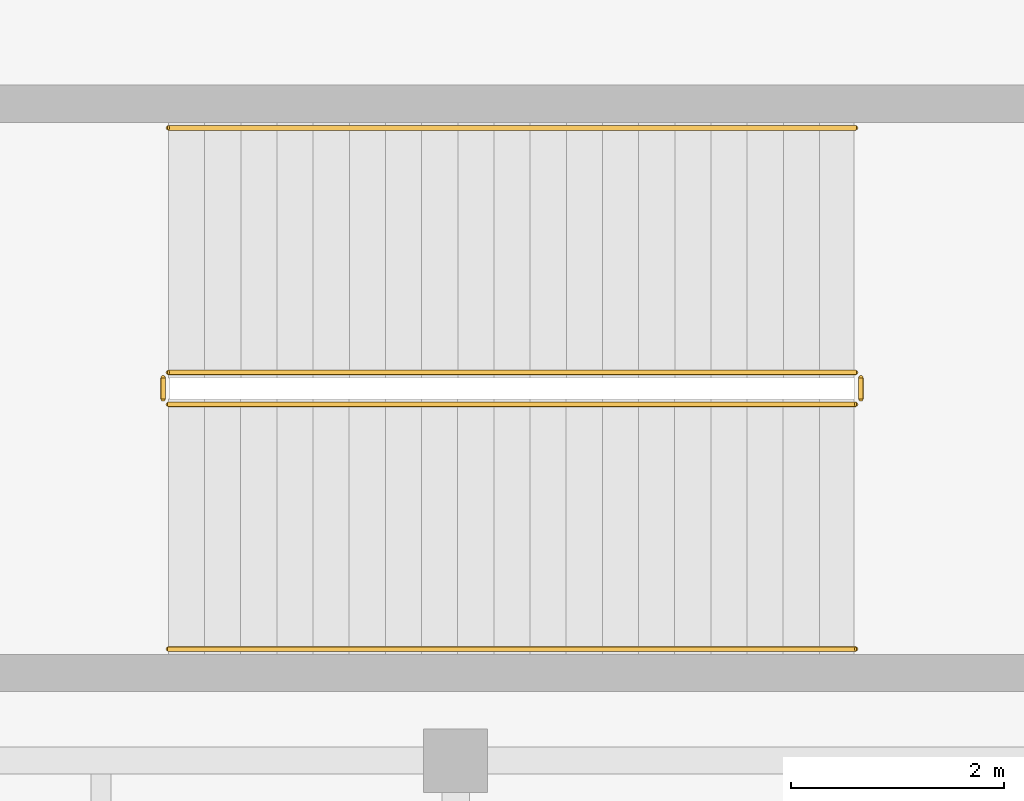
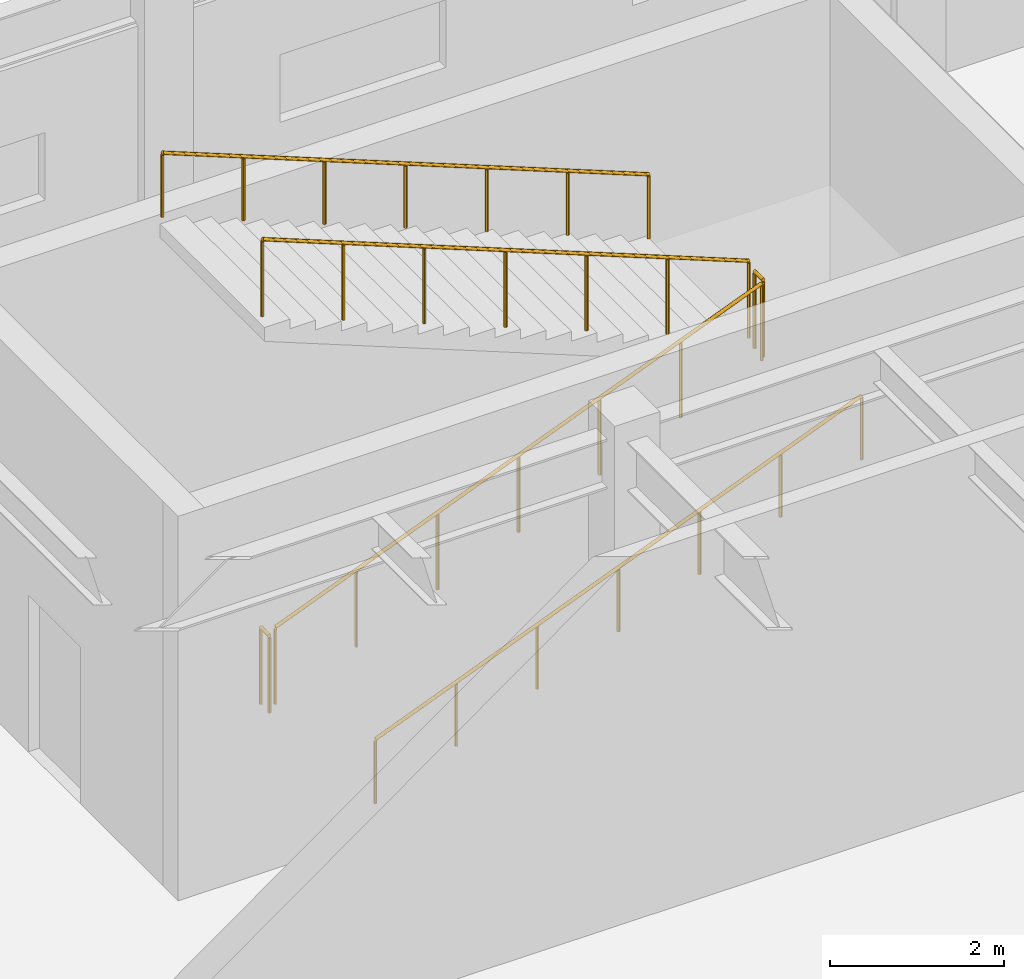
# One storey, part 48 of 54: 6 railings.
"""IFC4 building model written with IfcOpenShell, lengths in metres."""

from ifc_helpers import new_model, si_unit, direction, frame, origin, origin_2d, place, context, subcontext, project, spatial, circle, extrude, material, type_object, element, save


model = new_model("IFC4")

# Units and contexts
model_context = context("Model", 3, precision=1e-05, world=origin(), true_north=direction((0.0, 1.0)))
body_context = subcontext(model_context, "Body", "Model", "MODEL_VIEW")
ifc_project = project(units=[si_unit("LENGTHUNIT", "METRE"), si_unit("AREAUNIT", "SQUARE_METRE"), si_unit("VOLUMEUNIT", "CUBIC_METRE"), si_unit("PLANEANGLEUNIT", "RADIAN"), si_unit("MASSUNIT", "GRAM", prefix="KILO")], contexts=[model_context])

# Site, building, storey
site_placement = place(None, origin())
site = spatial("IfcSite", under=ifc_project, at=site_placement, CompositionType="ELEMENT")
building_placement = place(site_placement, origin())
building = spatial("IfcBuilding", under=site, at=building_placement, Name="Veldera Park Congress Hotel", CompositionType="ELEMENT")
storey_placement = place(building_placement, origin())
storey = spatial("IfcBuildingStorey", under=building, at=storey_placement, Name="L00", CompositionType="ELEMENT", Elevation=0.0)

# Railings
ifc_material = material(Name="Steel ASTM A992 Gr.50", Category="steel")
railing_type_1 = type_object("IfcRailingType", Name="GRD-ST110", PredefinedType="GUARDRAIL", material=ifc_material)
railing_1_placement = place(storey_placement, frame((-40.10009765625, 50.550048828125, 0.135009765625)))
element("IfcRailing", 1, at=railing_1_placement, inside=storey, type_object=railing_type_1, Name="L00 ST4 stair guard 1", PredefinedType="GUARDRAIL", context=body_context, shape_type="SweptSolid", body=[
    extrude(circle(Radius=0.02392578125, at=origin_2d()), frame((0.0, 0.0, 1.076171875), z_axis=(0.929423222467, 0.0, 0.369015546474), x_axis=(0.0, 1.0, 0.0)), (0.0, 0.0, 1.0), 6.95068359375),
    extrude(circle(Radius=0.02099609375, at=origin_2d()), origin(), (0.0, 0.0, 1.0), 1.052001953125),
    extrude(circle(Radius=0.02099609375, at=origin_2d()), frame((1.07666015625, 0.0, 0.427490234375)), (0.0, 0.0, 1.0), 1.052001953125),
    extrude(circle(Radius=0.02099609375, at=origin_2d()), frame((2.1533203125, 0.0, 0.85498046875)), (0.0, 0.0, 1.0), 1.052001953125),
    extrude(circle(Radius=0.02099609375, at=origin_2d()), frame((3.22998046875, 0.0, 1.282470703125)), (0.0, 0.0, 1.0), 1.052001953125),
    extrude(circle(Radius=0.02099609375, at=origin_2d()), frame((4.306884765625, 0.0, 1.7099609375)), (0.0, 0.0, 1.0), 1.052001953125),
    extrude(circle(Radius=0.02099609375, at=origin_2d()), frame((5.383544921875, 0.0, 2.137451171875)), (0.0, 0.0, 1.0), 1.052001953125),
    extrude(circle(Radius=0.02099609375, at=origin_2d()), frame((6.460205078125, 0.0, 2.56494140625)), (0.0, 0.0, 1.0), 1.052001953125),
])
railing_2_placement = place(storey_placement, frame((-33.590087890625, 50.60009765625, 2.699951171875)))
element("IfcRailing", 2, at=railing_2_placement, inside=storey, type_object=railing_type_1, Name="L00 ST4 stair guard 2", PredefinedType="GUARDRAIL", context=body_context, shape_type="SweptSolid", body=[
    extrude(circle(Radius=0.02392578125, at=origin_2d()), frame((0.0, 0.0, 1.076171875), z_axis=(0.0, 1.0, 0.0), x_axis=(-1.0, 0.0, 0.0)), (0.0, 0.0, 1.0), 0.199951171875),
    extrude(circle(Radius=0.02099609375, at=origin_2d()), origin(), (0.0, 0.0, 1.0), 1.052001953125),
    extrude(circle(Radius=0.02099609375, at=origin_2d()), frame((0.0, 0.199951171875, 0.0)), (0.0, 0.0, 1.0), 1.052001953125),
])
railing_3_placement = place(storey_placement, frame((-33.639892578125, 50.85009765625, 2.8349609375)))
element("IfcRailing", 3, at=railing_3_placement, inside=storey, type_object=railing_type_1, Name="L00 ST4 stair guard 3", PredefinedType="GUARDRAIL", context=body_context, shape_type="SweptSolid", body=[
    extrude(circle(Radius=0.02392578125, at=origin_2d()), frame((0.0, 0.0, 1.076171875), z_axis=(-0.929423222467, 0.0, 0.369015546474), x_axis=(0.0, -1.0, 0.0)), (0.0, 0.0, 1.0), 6.95068359375),
    extrude(circle(Radius=0.02099609375, at=origin_2d()), origin(), (0.0, 0.0, 1.0), 1.052001953125),
    extrude(circle(Radius=0.02099609375, at=origin_2d()), frame((-1.07666015625, 0.0, 0.427490234375)), (0.0, 0.0, 1.0), 1.052001953125),
    extrude(circle(Radius=0.02099609375, at=origin_2d()), frame((-2.1533203125, 0.0, 0.85498046875)), (0.0, 0.0, 1.0), 1.052001953125),
    extrude(circle(Radius=0.02099609375, at=origin_2d()), frame((-3.22998046875, 0.0, 1.282470703125)), (0.0, 0.0, 1.0), 1.052001953125),
    extrude(circle(Radius=0.02099609375, at=origin_2d()), frame((-4.306884765625, 0.0, 1.7099609375)), (0.0, 0.0, 1.0), 1.052001953125),
    extrude(circle(Radius=0.02099609375, at=origin_2d()), frame((-5.383544921875, 0.0, 2.137451171875)), (0.0, 0.0, 1.0), 1.052001953125),
    extrude(circle(Radius=0.02099609375, at=origin_2d()), frame((-6.460205078125, 0.0, 2.56494140625)), (0.0, 0.0, 1.0), 1.052001953125),
])
railing_4_placement = place(storey_placement, frame((-40.14990234375, 50.60009765625, 0.0)))
element("IfcRailing", 4, at=railing_4_placement, inside=storey, type_object=railing_type_1, Name="L00 ST4 stair guard 4", PredefinedType="GUARDRAIL", context=body_context, shape_type="SweptSolid", body=[
    extrude(circle(Radius=0.02392578125, at=origin_2d()), frame((0.0, 0.0, 1.076171875), z_axis=(0.0, 1.0, 0.0), x_axis=(-1.0, 0.0, 0.0)), (0.0, 0.0, 1.0), 0.199951171875),
    extrude(circle(Radius=0.02099609375, at=origin_2d()), origin(), (0.0, 0.0, 1.0), 1.052001953125),
    extrude(circle(Radius=0.02099609375, at=origin_2d()), frame((0.0, 0.199951171875, 0.0)), (0.0, 0.0, 1.0), 1.052001953125),
])
railing_type_2 = type_object("IfcRailingType", Name="HRL-920", PredefinedType="HANDRAIL", material=ifc_material)
railing_5_placement = place(storey_placement, frame((-40.10009765625, 48.25, 0.135009765625)))
element("IfcRailing", 5, at=railing_5_placement, inside=storey, type_object=railing_type_2, Name="L00 ST4 stair handrail 1", PredefinedType="HANDRAIL", context=body_context, shape_type="SweptSolid", body=[
    extrude(circle(Radius=0.02392578125, at=origin_2d()), frame((0.0, 0.0, 0.89599609375), z_axis=(0.929423222467, 0.0, 0.369015546474), x_axis=(0.0, 1.0, 0.0)), (0.0, 0.0, 1.0), 6.95068359375),
    extrude(circle(Radius=0.02099609375, at=origin_2d()), origin(), (0.0, 0.0, 1.0), 0.871826171875),
    extrude(circle(Radius=0.02099609375, at=origin_2d()), frame((1.07666015625, 0.0, 0.427490234375)), (0.0, 0.0, 1.0), 0.871826171875),
    extrude(circle(Radius=0.02099609375, at=origin_2d()), frame((2.1533203125, 0.0, 0.85498046875)), (0.0, 0.0, 1.0), 0.871826171875),
    extrude(circle(Radius=0.02099609375, at=origin_2d()), frame((3.22998046875, 0.0, 1.282470703125)), (0.0, 0.0, 1.0), 0.871826171875),
    extrude(circle(Radius=0.02099609375, at=origin_2d()), frame((4.306884765625, 0.0, 1.7099609375)), (0.0, 0.0, 1.0), 0.871826171875),
    extrude(circle(Radius=0.02099609375, at=origin_2d()), frame((5.383544921875, 0.0, 2.137451171875)), (0.0, 0.0, 1.0), 0.871826171875),
    extrude(circle(Radius=0.02099609375, at=origin_2d()), frame((6.460205078125, 0.0, 2.56494140625)), (0.0, 0.0, 1.0), 0.871826171875),
])
railing_6_placement = place(storey_placement, frame((-33.639892578125, 53.14990234375, 2.8349609375)))
element("IfcRailing", 6, at=railing_6_placement, inside=storey, type_object=railing_type_2, Name="L00 ST4 stair handrail 2", PredefinedType="HANDRAIL", context=body_context, shape_type="SweptSolid", body=[
    extrude(circle(Radius=0.02392578125, at=origin_2d()), frame((0.0, 0.0, 0.89599609375), z_axis=(-0.929423222467, 0.0, 0.369015546474), x_axis=(0.0, -1.0, 0.0)), (0.0, 0.0, 1.0), 6.95068359375),
    extrude(circle(Radius=0.02099609375, at=origin_2d()), origin(), (0.0, 0.0, 1.0), 0.871826171875),
    extrude(circle(Radius=0.02099609375, at=origin_2d()), frame((-1.07666015625, 0.0, 0.427490234375)), (0.0, 0.0, 1.0), 0.871826171875),
    extrude(circle(Radius=0.02099609375, at=origin_2d()), frame((-2.1533203125, 0.0, 0.85498046875)), (0.0, 0.0, 1.0), 0.871826171875),
    extrude(circle(Radius=0.02099609375, at=origin_2d()), frame((-3.22998046875, 0.0, 1.282470703125)), (0.0, 0.0, 1.0), 0.871826171875),
    extrude(circle(Radius=0.02099609375, at=origin_2d()), frame((-4.306884765625, 0.0, 1.7099609375)), (0.0, 0.0, 1.0), 0.871826171875),
    extrude(circle(Radius=0.02099609375, at=origin_2d()), frame((-5.383544921875, 0.0, 2.137451171875)), (0.0, 0.0, 1.0), 0.871826171875),
    extrude(circle(Radius=0.02099609375, at=origin_2d()), frame((-6.460205078125, 0.0, 2.56494140625)), (0.0, 0.0, 1.0), 0.871826171875),
])

save(model, "model.ifc")
